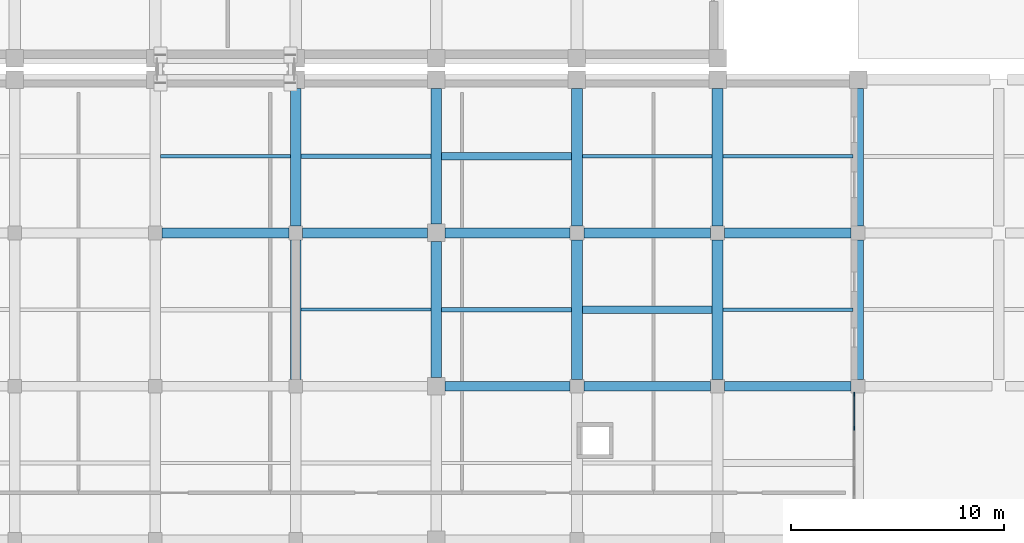
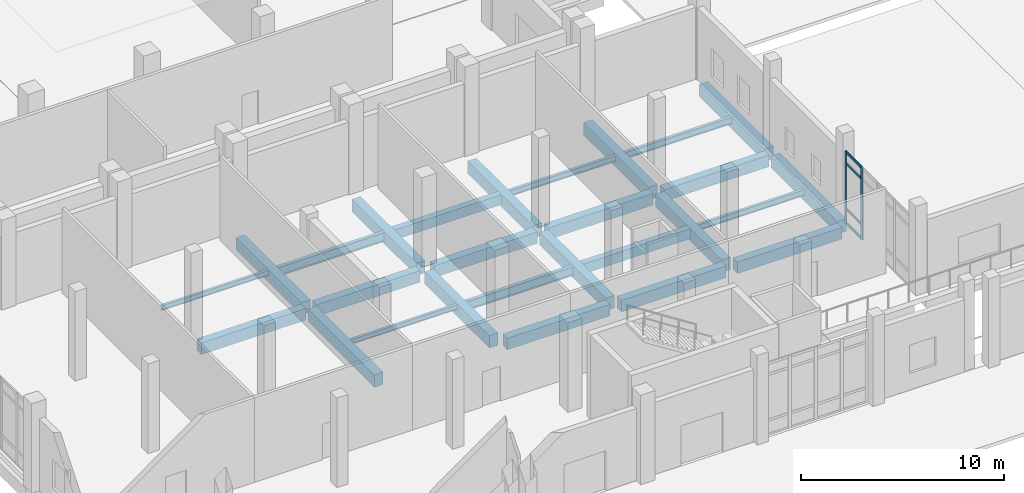
# One storey, part 15 of 79: 27 beams, 6 members, 1 element without a shape of its own.
"""IFC4 building model written with IfcOpenShell, lengths in metres."""

import ifcopenshell
import ifcopenshell.guid

model = None  # the IFC model being written
_history = None  # IfcOwnerHistory: only IFC2X3 demands one
_inside = {}  # id of a spatial element -> (the spatial element, [elements in it])
_under = {}  # id of a project, library or spatial element -> (it, [spatial elements below it])
_declared = {}  # id of a project -> (the project, [libraries it declares])
_typed = {}  # id of a type object -> (the type object, [elements of that type])
_made_of = {}  # id of a material, layer set ... -> (it, [elements and type objects made of it])


def new_model(schema):
    """Start an empty IFC model of exactly this schema.

    Asked for "IFC4X3", IfcOpenShell would pick the latest addendum, in which some entities
    have other attributes; the version numbers below select the first issue.
    IFC2X3 requires an IfcOwnerHistory on every rooted entity: one is made here for all.
    """
    global model, _history
    if schema == "IFC4X3":
        model = ifcopenshell.file(schema_version=(4, 3, 0, 0))
    else:
        model = ifcopenshell.file(schema=schema)
    _inside.clear()
    _under.clear()
    _declared.clear()
    _typed.clear()
    _made_of.clear()
    _history = None
    if model.schema == "IFC2X3":
        org = make("IfcOrganization", Name="unknown")
        user = make(
            "IfcPersonAndOrganization",
            ThePerson=make("IfcPerson", FamilyName="unknown"),
            TheOrganization=org,
        )
        app = make(
            "IfcApplication",
            ApplicationDeveloper=org,
            Version="unknown",
            ApplicationFullName="unknown",
            ApplicationIdentifier="unknown",
        )
        _history = make(
            "IfcOwnerHistory",
            OwningUser=user,
            OwningApplication=app,
            ChangeAction="ADDED",
            CreationDate=0,
        )
    return model


def make(cls, **values):
    """One entity of the class cls with the attributes given. An attribute that is None is left unset."""
    return model.create_entity(
        cls, **{name: value for name, value in values.items() if value is not None}
    )


def rooted(cls, **values):
    """An entity with a GlobalId (a new one), such as an element, a storey or a relation."""
    return make(cls, GlobalId=ifcopenshell.guid.new(), OwnerHistory=_history, **values)


def si_unit(unit_type, name, prefix=None):
    """IfcSIUnit, for example si_unit("LENGTHUNIT", "METRE", prefix="MILLI")."""
    return make("IfcSIUnit", UnitType=unit_type, Prefix=prefix, Name=name)


def assignment(units):
    """IfcUnitAssignment: the units of a project."""
    return None if units is None else make("IfcUnitAssignment", Units=units)


def point(xyz):
    """IfcCartesianPoint."""
    return None if xyz is None else make("IfcCartesianPoint", Coordinates=xyz)


def direction(xyz):
    """IfcDirection."""
    return None if xyz is None else make("IfcDirection", DirectionRatios=xyz)


def frame(location, z_axis=None, x_axis=None):
    """IfcAxis2Placement3D, a coordinate frame: its origin and axes. An axis left out is left unset."""
    return make(
        "IfcAxis2Placement3D",
        Location=point(location),
        Axis=direction(z_axis),
        RefDirection=direction(x_axis),
    )


def frame_2d(location, x_axis=None):
    """IfcAxis2Placement2D, a coordinate frame in the plane: its origin and x axis."""
    return make(
        "IfcAxis2Placement2D", Location=point(location), RefDirection=direction(x_axis)
    )


def origin():
    """The frame at (0, 0, 0) with its axes left unset."""
    return frame((0.0, 0.0, 0.0))


def origin_2d():
    """The frame at (0, 0) in the plane with its x axis left unset."""
    return frame_2d((0.0, 0.0))


def place(relative_to, where):
    """IfcLocalPlacement: puts the frame where relative to a parent placement (None: the world)."""
    return make(
        "IfcLocalPlacement", PlacementRelTo=relative_to, RelativePlacement=where
    )


def context(
    kind, dimensions, precision=None, world=None, true_north=None, identifier=None
):
    """IfcGeometricRepresentationContext, for example the 3D "Model" context."""
    return make(
        "IfcGeometricRepresentationContext",
        ContextIdentifier=identifier,
        ContextType=kind,
        CoordinateSpaceDimension=dimensions,
        Precision=precision,
        WorldCoordinateSystem=world,
        TrueNorth=true_north,
    )


def subcontext(parent, identifier, kind, view, scale=None):
    """IfcGeometricRepresentationSubContext, for example "Body" below "Model"."""
    return make(
        "IfcGeometricRepresentationSubContext",
        ContextIdentifier=identifier,
        ContextType=kind,
        ParentContext=parent,
        TargetScale=scale,
        TargetView=view,
    )


def project(units=None, contexts=None):
    """IfcProject with its units and contexts."""
    return rooted(
        "IfcProject",
        Name="project",
        RepresentationContexts=contexts,
        UnitsInContext=assignment(units),
    )


def spatial(cls, under=None, at=None, **own):
    """A site, building, storey or space (cls), placed at a placement, below another one or the project."""
    s = rooted(cls, ObjectPlacement=at, **own)
    if under is not None:
        _under.setdefault(under.id(), (under, []))[1].append(s)
    return s


def profile(cls, at=None, kind="AREA", **sizes):
    """A parametric profile (cls). Its sizes go by their IFC names, for example OverallWidth=200.0."""
    return make(cls, ProfileType=kind, Position=at, **sizes)


def rectangle(**sizes):
    """IfcRectangleProfileDef."""
    return profile("IfcRectangleProfileDef", **sizes)


def i_section(**sizes):
    """IfcIShapeProfileDef."""
    return profile("IfcIShapeProfileDef", **sizes)


def extrude(swept, where, along, depth):
    """IfcExtrudedAreaSolid: the profile swept, set in the frame where, extruded along a direction by depth."""
    return make(
        "IfcExtrudedAreaSolid",
        SweptArea=swept,
        Position=where,
        ExtrudedDirection=direction(along),
        Depth=depth,
    )


def shape(context_of_items, identifier, shape_type, items):
    """IfcShapeRepresentation: the items that make up one representation, for example the "Body"."""
    return make(
        "IfcShapeRepresentation",
        ContextOfItems=context_of_items,
        RepresentationIdentifier=identifier,
        RepresentationType=shape_type,
        Items=items,
    )


def material(Name=None, Category=None):
    """IfcMaterial."""
    return make("IfcMaterial", Name=Name, Category=Category)


def layer(
    of_material, thickness, ventilated=None, Name=None, Category=None, Priority=None
):
    """IfcMaterialLayer: one layer of a wall or slab, of a material (None: an air gap)."""
    return make(
        "IfcMaterialLayer",
        Material=of_material,
        LayerThickness=thickness,
        IsVentilated=ventilated,
        Name=Name,
        Category=Category,
        Priority=Priority,
    )


def layer_set(layers, Name=None):
    """IfcMaterialLayerSet."""
    return make("IfcMaterialLayerSet", MaterialLayers=layers, LayerSetName=Name)


def material_profile(
    of_material, cross_section, Name=None, Category=None, Priority=None
):
    """IfcMaterialProfile: a cross section and its material."""
    return make(
        "IfcMaterialProfile",
        Name=Name,
        Material=of_material,
        Profile=cross_section,
        Priority=Priority,
        Category=Category,
    )


def profile_set(profiles, Name=None, composite=None):
    """IfcMaterialProfileSet."""
    return make(
        "IfcMaterialProfileSet",
        Name=Name,
        MaterialProfiles=profiles,
        CompositeProfile=composite,
    )


def made_of(thing, what):
    """Note that an element or type object is made of a material, layer set ...; save() writes the relation."""
    if what is not None:
        _made_of.setdefault(what.id(), (what, []))[1].append(thing)
    return thing


def type_object(cls, material=None, **own):
    """A type object (cls), such as IfcWallType, which elements share."""
    return made_of(rooted(cls, **own), material)


def element(
    cls,
    number,
    at=None,
    inside=None,
    cuts=None,
    type_object=None,
    material=None,
    context=None,
    identifier="Body",
    shape_type=None,
    held_by="IfcProductDefinitionShape",
    body=None,
    shapes=None,
    **own,
):
    """One element of the class cls, such as IfcWall. Its Tag is "e" and its number.

    at: its placement. inside: the storey or other place that contains it. cuts: it is an
    opening in that element (IfcRelVoidsElement). A single representation is given by context,
    identifier, shape_type and body (its items); several are given by shapes. held_by: the class
    of the entity that holds the representations. save() writes the other relations.
    """
    e = rooted(cls, Tag="e%d" % number, ObjectPlacement=at, **own)
    if body is not None:
        shapes = [shape(context, identifier, shape_type, body)]
    if shapes is not None:
        e.Representation = make(held_by, Representations=shapes)
    if inside is not None:
        _inside.setdefault(inside.id(), (inside, []))[1].append(e)
    if cuts is not None:
        rooted(
            "IfcRelVoidsElement", RelatingBuildingElement=cuts, RelatedOpeningElement=e
        )
    if type_object is not None:
        _typed.setdefault(type_object.id(), (type_object, []))[1].append(e)
    return made_of(e, material)


def aggregate(whole, parts):
    """IfcRelAggregates: a whole, such as a stair, and the parts it consists of."""
    return rooted("IfcRelAggregates", RelatingObject=whole, RelatedObjects=parts)


def save(model, path):
    """Write the relations noted so far, then the file.

    IfcRelAggregates (storeys below a building ...), IfcRelContainedInSpatialStructure (elements
    in a storey), IfcRelDefinesByType, IfcRelAssociatesMaterial and IfcRelDeclares: one each for
    every whole, place, type object, material and project.
    """
    for whole, parts in _under.values():
        aggregate(whole, parts)
    for where, things in _inside.values():
        rooted(
            "IfcRelContainedInSpatialStructure",
            RelatedElements=things,
            RelatingStructure=where,
        )
    for kind, things in _typed.values():
        rooted("IfcRelDefinesByType", RelatedObjects=things, RelatingType=kind)
    for what, things in _made_of.values():
        rooted("IfcRelAssociatesMaterial", RelatedObjects=things, RelatingMaterial=what)
    for by, libraries in _declared.values():
        rooted("IfcRelDeclares", RelatingContext=by, RelatedDefinitions=libraries)
    model.write(path)


model = new_model("IFC4")

# Units and contexts
model_context = context("Model", 3, precision=1e-05, world=origin(), true_north=direction((0.0, 1.0)))
body_context = subcontext(model_context, "Body", "Model", "MODEL_VIEW")
ifc_project = project(units=[si_unit("LENGTHUNIT", "METRE"), si_unit("AREAUNIT", "SQUARE_METRE"), si_unit("VOLUMEUNIT", "CUBIC_METRE"), si_unit("PLANEANGLEUNIT", "RADIAN"), si_unit("MASSUNIT", "GRAM", prefix="KILO")], contexts=[model_context])

# Site, building, storey
site_placement = place(None, origin())
site = spatial("IfcSite", under=ifc_project, at=site_placement, CompositionType="ELEMENT")
building_placement = place(site_placement, origin())
building = spatial("IfcBuilding", under=site, at=building_placement, Name="Kelarvand Opera House", CompositionType="ELEMENT")
storey_placement = place(building_placement, origin())
storey = spatial("IfcBuildingStorey", under=building, at=storey_placement, Name="L00", CompositionType="ELEMENT", Elevation=0.0)

# Curtain wall, members
ifc_material_1 = material(Name="Thermally broken aluminium and low-E glazing", Category="aluminium")
ifc_layer = layer(ifc_material_1, 0.179931640625, Name="Thermally broken aluminium and low-E glazing", Category="aluminium")
ifc_layer_set = layer_set([ifc_layer], Name="Thermally broken aluminium and low-E glazing")
curtain_wall_type = type_object("IfcCurtainWallType", Name="Unitised Low-E Curtain Wall 3261x4350 Mod 1350 CWF-53", PredefinedType="USERDEFINED", material=ifc_layer_set)
curtain_wall_placement = place(storey_placement, origin())
curtain_wall = element("IfcCurtainWall", 1, at=curtain_wall_placement, inside=storey, type_object=curtain_wall_type, Name="V6 L00 Curtain Wall CWF-53 (202)", ObjectType="UNITISED CURTAIN WALL", PredefinedType="USERDEFINED")
ifc_material_2 = material(Name="Thermally broken anodised aluminium", Category="aluminium")
ifc_material_profile_1 = material_profile(ifc_material_2, rectangle(XDim=0.06494140625, YDim=0.179931640625, at=origin_2d()), Name="ALU MULLION 65x180", Category="aluminium")
ifc_profile_set_1 = profile_set([ifc_material_profile_1], Name="Thermally broken anodised aluminium")
member_type_1 = type_object("IfcMemberType", Name="Curtain Wall Mullion 65x180 Aluminium", PredefinedType="MULLION", material=ifc_profile_set_1)
member_1_placement = place(storey_placement, frame((135.02001953125, 23.032470703125, 0.0), z_axis=(0.0, 0.0, 1.0), x_axis=(1.0, 0.0, 0.0)))
member_1 = element("IfcMember", 2, at=member_1_placement, type_object=member_type_1, Name="CWF-53 mullion 1", PredefinedType="MULLION", context=body_context, shape_type="SweptSolid", body=[
    extrude(rectangle(XDim=0.06494140625, YDim=0.179931640625, at=origin_2d()), origin(), (0.0, 0.0, 1.0), 4.35009765625),
])
member_2_placement = place(storey_placement, frame((135.02001953125, 21.4345703125, 0.0), z_axis=(0.0, 0.0, 1.0), x_axis=(1.0, 0.0, 0.0)))
member_2 = element("IfcMember", 3, at=member_2_placement, type_object=member_type_1, Name="CWF-53 mullion 2", PredefinedType="MULLION", context=body_context, shape_type="SweptSolid", body=[
    extrude(rectangle(XDim=0.06494140625, YDim=0.179931640625, at=origin_2d()), origin(), (0.0, 0.0, 1.0), 4.35009765625),
])
ifc_material_profile_2 = material_profile(ifc_material_2, rectangle(XDim=0.06494140625, YDim=0.139892578125, at=origin_2d()), Name="ALU TRANSOM 65x140", Category="aluminium")
ifc_profile_set_2 = profile_set([ifc_material_profile_2], Name="Thermally broken anodised aluminium")
member_type_2 = type_object("IfcMemberType", Name="Curtain Wall Transom 65x140 Aluminium", PredefinedType="USERDEFINED", material=ifc_profile_set_2)
member_3_placement = place(storey_placement, frame((135.02001953125, 23.0, 0.032470703125), z_axis=(0.0, -1.0, 0.0), x_axis=(1.0, 0.0, 0.0)))
member_3 = element("IfcMember", 4, at=member_3_placement, type_object=member_type_2, Name="CWF-53 transom 1.1", ObjectType="TRANSOM", PredefinedType="USERDEFINED", context=body_context, shape_type="SweptSolid", body=[
    extrude(rectangle(XDim=0.06494140625, YDim=0.139892578125, at=origin_2d()), origin(), (0.0, 0.0, 1.0), 1.532958984375),
])
member_4_placement = place(storey_placement, frame((135.02001953125, 23.0, 0.89990234375), z_axis=(0.0, -1.0, 0.0), x_axis=(1.0, 0.0, 0.0)))
member_4 = element("IfcMember", 5, at=member_4_placement, type_object=member_type_2, Name="CWF-53 transom 1.2", ObjectType="TRANSOM", PredefinedType="USERDEFINED", context=body_context, shape_type="SweptSolid", body=[
    extrude(rectangle(XDim=0.06494140625, YDim=0.139892578125, at=origin_2d()), origin(), (0.0, 0.0, 1.0), 1.532958984375),
])
member_5_placement = place(storey_placement, frame((135.02001953125, 23.0, 3.64990234375), z_axis=(0.0, -1.0, 0.0), x_axis=(1.0, 0.0, 0.0)))
member_5 = element("IfcMember", 6, at=member_5_placement, type_object=member_type_2, Name="CWF-53 transom 1.3", ObjectType="TRANSOM", PredefinedType="USERDEFINED", context=body_context, shape_type="SweptSolid", body=[
    extrude(rectangle(XDim=0.06494140625, YDim=0.139892578125, at=origin_2d()), origin(), (0.0, 0.0, 1.0), 1.532958984375),
])
member_6_placement = place(storey_placement, frame((135.02001953125, 23.0, 4.3173828125), z_axis=(0.0, -1.0, 0.0), x_axis=(1.0, 0.0, 0.0)))
member_6 = element("IfcMember", 7, at=member_6_placement, type_object=member_type_2, Name="CWF-53 transom 1.4", ObjectType="TRANSOM", PredefinedType="USERDEFINED", context=body_context, shape_type="SweptSolid", body=[
    extrude(rectangle(XDim=0.06494140625, YDim=0.139892578125, at=origin_2d()), origin(), (0.0, 0.0, 1.0), 1.532958984375),
])
aggregate(curtain_wall, [member_1, member_2, member_3, member_4, member_5, member_6])

# Beams
ifc_material_3 = material(Name="Concrete C35/45", Category="concrete")
ifc_material_profile_3 = material_profile(ifc_material_3, rectangle(XDim=0.35009765625, YDim=0.60009765625, at=origin_2d()), Name="RC 350x600", Category="concrete")
ifc_profile_set_3 = profile_set([ifc_material_profile_3], Name="Concrete C35/45")
beam_type_1 = type_object("IfcBeamType", Name="Structural Beam RC 350x600 BM-RC350x600", PredefinedType="BEAM", material=ifc_profile_set_3)
for number, where, z_axis, x_axis, name in (
    (8, (115.64990234375, 34.199951171875, -0.60009765625), (1.0, 0.0, 0.0), (0.0, 1.0, 0.0), "V6 L00 Beam BM-RC350x600"),
    (9, (122.25, 27.0, -0.60009765625), (1.0, 0.0, 0.0), (0.0, 1.0, 0.0), "V6 L00 Beam BM-RC350x600"),
):
    element("IfcBeam", number, at=place(storey_placement, frame(where, z_axis=z_axis, x_axis=x_axis)), inside=storey, type_object=beam_type_1, Name=name, PredefinedType="BEAM", context=body_context, shape_type="SweptSolid", body=[
        extrude(rectangle(XDim=0.35009765625, YDim=0.60009765625, at=origin_2d()), origin(), (0.0, 0.0, 1.0), 6.10009765625),
    ])
ifc_material_4 = material(Name="Concrete C40/50", Category="concrete")
ifc_material_profile_4 = material_profile(ifc_material_4, rectangle(XDim=0.449951171875, YDim=0.699951171875, at=origin_2d()), Name="RC 450x700", Category="concrete")
ifc_profile_set_4 = profile_set([ifc_material_profile_4], Name="Concrete C40/50")
beam_type_2 = type_object("IfcBeamType", Name="Structural Beam RC 450x700 BM-RC450x700", PredefinedType="BEAM", material=ifc_profile_set_4)
beam_1_placement = place(storey_placement, frame((115.81005859375, 23.39990234375, -0.64990234375), z_axis=(1.0, 0.0, 0.0), x_axis=(0.0, 1.0, 0.0)))
element("IfcBeam", 10, at=beam_1_placement, inside=storey, type_object=beam_type_2, Name="V6 L00 Beam BM-RC450x700", PredefinedType="BEAM", context=body_context, shape_type="SweptSolid", body=[
    extrude(rectangle(XDim=0.449951171875, YDim=0.699951171875, at=origin_2d()), origin(), (0.0, 0.0, 1.0), 5.864990234375),
])
for number, where, z_axis, x_axis, name in (
    (11, (122.324951171875, 23.39990234375, -0.64990234375), (1.0, 0.0, 0.0), (0.0, 1.0, 0.0), "V6 L00 Beam BM-RC450x700"),
    (12, (128.925048828125, 23.39990234375, -0.64990234375), (1.0, 0.0, 0.0), (0.0, 1.0, 0.0), "V6 L00 Beam BM-RC450x700"),
):
    element("IfcBeam", number, at=place(storey_placement, frame(where, z_axis=z_axis, x_axis=x_axis)), inside=storey, type_object=beam_type_2, Name=name, PredefinedType="BEAM", context=body_context, shape_type="SweptSolid", body=[
        extrude(rectangle(XDim=0.449951171875, YDim=0.699951171875, at=origin_2d()), origin(), (0.0, 0.0, 1.0), 5.949951171875),
    ])
beam_2_placement = place(storey_placement, frame((102.52490234375, 30.60009765625, -0.64990234375), z_axis=(1.0, 0.0, 0.0), x_axis=(0.0, 1.0, 0.0)))
element("IfcBeam", 13, at=beam_2_placement, inside=storey, type_object=beam_type_2, Name="V6 L00 Beam BM-RC450x700", PredefinedType="BEAM", context=body_context, shape_type="SweptSolid", body=[
    extrude(rectangle(XDim=0.449951171875, YDim=0.699951171875, at=origin_2d()), origin(), (0.0, 0.0, 1.0), 5.9501953125),
])
for number, where, z_axis, x_axis, name in (
    (14, (109.125, 30.60009765625, -0.64990234375), (1.0, 0.0, 0.0), (0.0, 1.0, 0.0), "V6 L00 Beam BM-RC450x700"),
    (15, (115.81005859375, 30.60009765625, -0.64990234375), (1.0, 0.0, 0.0), (0.0, 1.0, 0.0), "V6 L00 Beam BM-RC450x700"),
):
    element("IfcBeam", number, at=place(storey_placement, frame(where, z_axis=z_axis, x_axis=x_axis)), inside=storey, type_object=beam_type_2, Name=name, PredefinedType="BEAM", context=body_context, shape_type="SweptSolid", body=[
        extrude(rectangle(XDim=0.449951171875, YDim=0.699951171875, at=origin_2d()), origin(), (0.0, 0.0, 1.0), 5.864990234375),
    ])
for number, where, z_axis, x_axis, name in (
    (16, (122.324951171875, 30.60009765625, -0.64990234375), (1.0, 0.0, 0.0), (0.0, 1.0, 0.0), "V6 L00 Beam BM-RC450x700"),
    (17, (128.925048828125, 30.60009765625, -0.64990234375), (1.0, 0.0, 0.0), (0.0, 1.0, 0.0), "V6 L00 Beam BM-RC450x700"),
):
    element("IfcBeam", number, at=place(storey_placement, frame(where, z_axis=z_axis, x_axis=x_axis)), inside=storey, type_object=beam_type_2, Name=name, PredefinedType="BEAM", context=body_context, shape_type="SweptSolid", body=[
        extrude(rectangle(XDim=0.449951171875, YDim=0.699951171875, at=origin_2d()), origin(), (0.0, 0.0, 1.0), 5.949951171875),
    ])
ifc_material_profile_5 = material_profile(ifc_material_4, rectangle(XDim=0.5, YDim=0.75, at=origin_2d()), Name="RC 500x750", Category="concrete")
ifc_profile_set_5 = profile_set([ifc_material_profile_5], Name="Concrete C40/50")
beam_type_3 = type_object("IfcBeamType", Name="Structural Beam RC 500x750 BM-RC500x750", PredefinedType="BEAM", material=ifc_profile_set_5)
beam_3_placement = place(storey_placement, frame((108.800048828125, 23.72509765625, -0.675048828125), z_axis=(0.0, 1.0, 0.0), x_axis=(-1.0, 0.0, 0.0)))
element("IfcBeam", 18, at=beam_3_placement, inside=storey, type_object=beam_type_3, Name="V6 L00 Beam BM-RC500x750", PredefinedType="BEAM", context=body_context, shape_type="SweptSolid", body=[
    extrude(rectangle(XDim=0.5, YDim=0.75, at=origin_2d()), origin(), (0.0, 0.0, 1.0), 6.5498046875),
])
beam_4_placement = place(storey_placement, frame((108.800048828125, 30.925048828125, -0.675048828125), z_axis=(0.0, 1.0, 0.0), x_axis=(-1.0, 0.0, 0.0)))
element("IfcBeam", 19, at=beam_4_placement, inside=storey, type_object=beam_type_3, Name="V6 L00 Beam BM-RC500x750", PredefinedType="BEAM", context=body_context, shape_type="SweptSolid", body=[
    extrude(rectangle(XDim=0.5, YDim=0.75, at=origin_2d()), origin(), (0.0, 0.0, 1.0), 6.46484375),
])
for number, where, z_axis, x_axis, name in (
    (20, (115.39990234375, 23.81005859375, -0.675048828125), (0.0, 1.0, 0.0), (-1.0, 0.0, 0.0), "V6 L00 Beam BM-RC500x750"),
    (21, (115.39990234375, 31.010009765625, -0.675048828125), (0.0, 1.0, 0.0), (-1.0, 0.0, 0.0), "V6 L00 Beam BM-RC500x750"),
):
    element("IfcBeam", number, at=place(storey_placement, frame(where, z_axis=z_axis, x_axis=x_axis)), inside=storey, type_object=beam_type_3, Name=name, PredefinedType="BEAM", context=body_context, shape_type="SweptSolid", body=[
        extrude(rectangle(XDim=0.5, YDim=0.75, at=origin_2d()), origin(), (0.0, 0.0, 1.0), 6.3798828125),
    ])
beam_5_placement = place(storey_placement, frame((122.0, 23.72509765625, -0.675048828125), z_axis=(0.0, 1.0, 0.0), x_axis=(-1.0, 0.0, 0.0)))
element("IfcBeam", 22, at=beam_5_placement, inside=storey, type_object=beam_type_3, Name="V6 L00 Beam BM-RC500x750", PredefinedType="BEAM", context=body_context, shape_type="SweptSolid", body=[
    extrude(rectangle(XDim=0.5, YDim=0.75, at=origin_2d()), origin(), (0.0, 0.0, 1.0), 6.5498046875),
])
beam_6_placement = place(storey_placement, frame((122.0, 30.925048828125, -0.675048828125), z_axis=(0.0, 1.0, 0.0), x_axis=(-1.0, 0.0, 0.0)))
element("IfcBeam", 23, at=beam_6_placement, inside=storey, type_object=beam_type_3, Name="V6 L00 Beam BM-RC500x750", PredefinedType="BEAM", context=body_context, shape_type="SweptSolid", body=[
    extrude(rectangle(XDim=0.5, YDim=0.75, at=origin_2d()), origin(), (0.0, 0.0, 1.0), 6.46484375),
])
beam_7_placement = place(storey_placement, frame((128.60009765625, 23.72509765625, -0.675048828125), z_axis=(0.0, 1.0, 0.0), x_axis=(-1.0, 0.0, 0.0)))
element("IfcBeam", 24, at=beam_7_placement, inside=storey, type_object=beam_type_3, Name="V6 L00 Beam BM-RC500x750", PredefinedType="BEAM", context=body_context, shape_type="SweptSolid", body=[
    extrude(rectangle(XDim=0.5, YDim=0.75, at=origin_2d()), origin(), (0.0, 0.0, 1.0), 6.5498046875),
])
beam_8_placement = place(storey_placement, frame((128.60009765625, 30.925048828125, -0.675048828125), z_axis=(0.0, 1.0, 0.0), x_axis=(-1.0, 0.0, 0.0)))
element("IfcBeam", 25, at=beam_8_placement, inside=storey, type_object=beam_type_3, Name="V6 L00 Beam BM-RC500x750", PredefinedType="BEAM", context=body_context, shape_type="SweptSolid", body=[
    extrude(rectangle(XDim=0.5, YDim=0.75, at=origin_2d()), origin(), (0.0, 0.0, 1.0), 6.46484375),
])
beam_9_placement = place(storey_placement, frame((135.199951171875, 23.72509765625, -0.675048828125), z_axis=(0.0, 1.0, 0.0), x_axis=(-1.0, 0.0, 0.0)))
element("IfcBeam", 26, at=beam_9_placement, inside=storey, type_object=beam_type_3, Name="V6 L00 Beam BM-RC500x750", PredefinedType="BEAM", context=body_context, shape_type="SweptSolid", body=[
    extrude(rectangle(XDim=0.5, YDim=0.75, at=origin_2d()), origin(), (0.0, 0.0, 1.0), 6.5498046875),
])
beam_10_placement = place(storey_placement, frame((135.199951171875, 30.925048828125, -0.675048828125), z_axis=(0.0, 1.0, 0.0), x_axis=(-1.0, 0.0, 0.0)))
element("IfcBeam", 27, at=beam_10_placement, inside=storey, type_object=beam_type_3, Name="V6 L00 Beam BM-RC500x750", PredefinedType="BEAM", context=body_context, shape_type="SweptSolid", body=[
    extrude(rectangle(XDim=0.5, YDim=0.75, at=origin_2d()), origin(), (0.0, 0.0, 1.0), 6.46484375),
])
ifc_material_5 = material(Name="Steel S355", Category="steel")
ifc_material_profile_6 = material_profile(ifc_material_5, i_section(OverallWidth=0.14990234375, OverallDepth=0.300048828125, WebThickness=0.007080078125, FlangeThickness=0.0107421875, at=origin_2d()), Name="IPE 300", Category="steel")
ifc_profile_set_6 = profile_set([ifc_material_profile_6], Name="Steel S355")
beam_type_4 = type_object("IfcBeamType", Name="Structural Joist IPE 300 JS-IPE300", PredefinedType="JOIST", material=ifc_profile_set_6)
beam_11_placement = place(storey_placement, frame((102.449951171875, 34.199951171875, -0.449951171875), z_axis=(1.0, 0.0, 0.0), x_axis=(0.0, 1.0, 0.0)))
element("IfcBeam", 28, at=beam_11_placement, inside=storey, type_object=beam_type_4, Name="V6 L00 Beam JS-IPE300", PredefinedType="JOIST", context=body_context, shape_type="SweptSolid", body=[
    extrude(i_section(OverallWidth=0.14990234375, OverallDepth=0.300048828125, WebThickness=0.007080078125, FlangeThickness=0.0107421875, at=origin_2d()), origin(), (0.0, 0.0, 1.0), 6.10009765625),
])
beam_12_placement = place(storey_placement, frame((109.050048828125, 27.0, -0.449951171875), z_axis=(1.0, 0.0, 0.0), x_axis=(0.0, 1.0, 0.0)))
element("IfcBeam", 29, at=beam_12_placement, inside=storey, type_object=beam_type_4, Name="V6 L00 Beam JS-IPE300", PredefinedType="JOIST", context=body_context, shape_type="SweptSolid", body=[
    extrude(i_section(OverallWidth=0.14990234375, OverallDepth=0.300048828125, WebThickness=0.007080078125, FlangeThickness=0.0107421875, at=origin_2d()), origin(), (0.0, 0.0, 1.0), 6.099853515625),
])
ifc_material_profile_7 = material_profile(ifc_material_5, i_section(OverallWidth=0.169921875, OverallDepth=0.360107421875, WebThickness=0.008056640625, FlangeThickness=0.0126953125, at=origin_2d()), Name="IPE 360", Category="steel")
ifc_profile_set_7 = profile_set([ifc_material_profile_7], Name="Steel S355")
beam_type_5 = type_object("IfcBeamType", Name="Structural Joist IPE 360 JS-IPE360", PredefinedType="JOIST", material=ifc_profile_set_7)
beam_13_placement = place(storey_placement, frame((122.25, 34.199951171875, -0.47998046875), z_axis=(1.0, 0.0, 0.0), x_axis=(0.0, 1.0, 0.0)))
element("IfcBeam", 30, at=beam_13_placement, inside=storey, type_object=beam_type_5, Name="V6 L00 Beam JS-IPE360", PredefinedType="JOIST", context=body_context, shape_type="SweptSolid", body=[
    extrude(i_section(OverallWidth=0.169921875, OverallDepth=0.360107421875, WebThickness=0.008056640625, FlangeThickness=0.0126953125, at=origin_2d()), origin(), (0.0, 0.0, 1.0), 6.10009765625),
])
beam_14_placement = place(storey_placement, frame((128.85009765625, 27.0, -0.47998046875), z_axis=(1.0, 0.0, 0.0), x_axis=(0.0, 1.0, 0.0)))
element("IfcBeam", 31, at=beam_14_placement, inside=storey, type_object=beam_type_5, Name="V6 L00 Beam JS-IPE360", PredefinedType="JOIST", context=body_context, shape_type="SweptSolid", body=[
    extrude(i_section(OverallWidth=0.169921875, OverallDepth=0.360107421875, WebThickness=0.008056640625, FlangeThickness=0.0126953125, at=origin_2d()), origin(), (0.0, 0.0, 1.0), 6.099853515625),
])
ifc_material_profile_8 = material_profile(ifc_material_5, i_section(OverallWidth=0.179931640625, OverallDepth=0.39990234375, WebThickness=0.008544921875, FlangeThickness=0.013427734375, at=origin_2d()), Name="IPE 400", Category="steel")
ifc_profile_set_8 = profile_set([ifc_material_profile_8], Name="Steel S355")
beam_type_6 = type_object("IfcBeamType", Name="Structural Joist IPE 400 JS-IPE400", PredefinedType="JOIST", material=ifc_profile_set_8)
beam_15_placement = place(storey_placement, frame((128.85009765625, 34.199951171875, -0.5), z_axis=(1.0, 0.0, 0.0), x_axis=(0.0, 1.0, 0.0)))
element("IfcBeam", 32, at=beam_15_placement, inside=storey, type_object=beam_type_6, Name="V6 L00 Beam JS-IPE400", PredefinedType="JOIST", context=body_context, shape_type="SweptSolid", body=[
    extrude(i_section(OverallWidth=0.179931640625, OverallDepth=0.39990234375, WebThickness=0.008544921875, FlangeThickness=0.013427734375, at=origin_2d()), origin(), (0.0, 0.0, 1.0), 6.099853515625),
])
ifc_material_profile_9 = material_profile(ifc_material_5, i_section(OverallWidth=0.2099609375, OverallDepth=0.550048828125, WebThickness=0.010986328125, FlangeThickness=0.01708984375, at=origin_2d()), Name="IPE 550", Category="steel")
ifc_profile_set_9 = profile_set([ifc_material_profile_9], Name="Steel S355")
beam_type_7 = type_object("IfcBeamType", Name="Structural Joist IPE 550 JS-IPE550", PredefinedType="JOIST", material=ifc_profile_set_9)
beam_16_placement = place(storey_placement, frame((109.050048828125, 34.199951171875, -0.574951171875), z_axis=(1.0, 0.0, 0.0), x_axis=(0.0, 1.0, 0.0)))
element("IfcBeam", 33, at=beam_16_placement, inside=storey, type_object=beam_type_7, Name="V6 L00 Beam JS-IPE550", PredefinedType="JOIST", context=body_context, shape_type="SweptSolid", body=[
    extrude(i_section(OverallWidth=0.2099609375, OverallDepth=0.550048828125, WebThickness=0.010986328125, FlangeThickness=0.01708984375, at=origin_2d()), origin(), (0.0, 0.0, 1.0), 6.099853515625),
])
beam_17_placement = place(storey_placement, frame((115.64990234375, 27.0, -0.574951171875), z_axis=(1.0, 0.0, 0.0), x_axis=(0.0, 1.0, 0.0)))
element("IfcBeam", 34, at=beam_17_placement, inside=storey, type_object=beam_type_7, Name="V6 L00 Beam JS-IPE550", PredefinedType="JOIST", context=body_context, shape_type="SweptSolid", body=[
    extrude(i_section(OverallWidth=0.2099609375, OverallDepth=0.550048828125, WebThickness=0.010986328125, FlangeThickness=0.01708984375, at=origin_2d()), origin(), (0.0, 0.0, 1.0), 6.10009765625),
])

save(model, "model.ifc")
